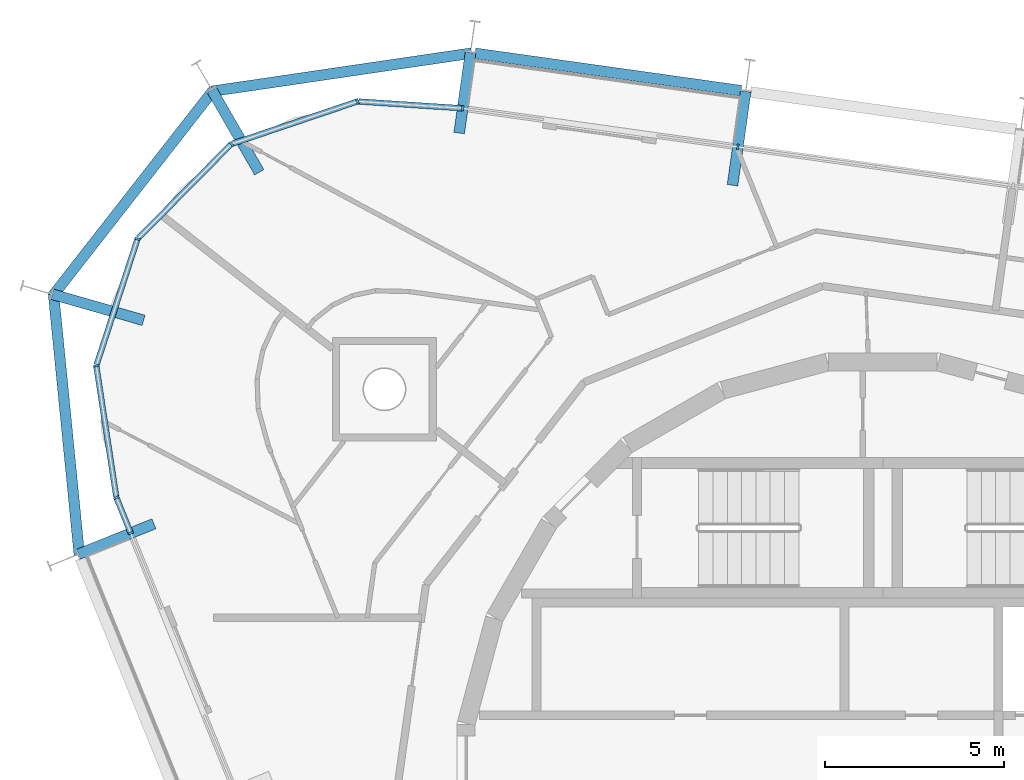
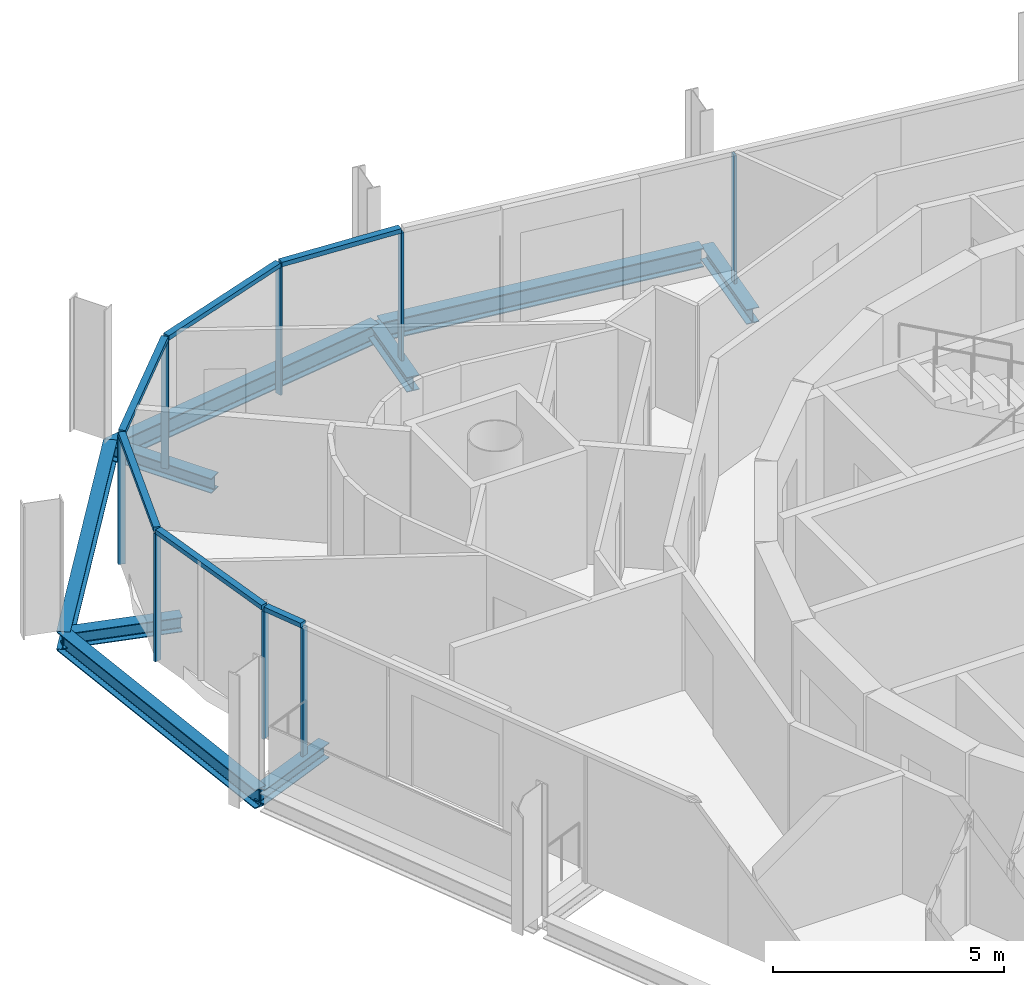
# One storey, part 5 of 15: 14 members, 9 beams, 3 elements without a shape of their own.
"""IFC4 building model written with IfcOpenShell, lengths in metres."""

import ifcopenshell
import ifcopenshell.guid

model = None  # the IFC model being written
_history = None  # IfcOwnerHistory: only IFC2X3 demands one
_inside = {}  # id of a spatial element -> (the spatial element, [elements in it])
_under = {}  # id of a project, library or spatial element -> (it, [spatial elements below it])
_declared = {}  # id of a project -> (the project, [libraries it declares])
_typed = {}  # id of a type object -> (the type object, [elements of that type])
_made_of = {}  # id of a material, layer set ... -> (it, [elements and type objects made of it])


def new_model(schema):
    """Start an empty IFC model of exactly this schema.

    Asked for "IFC4X3", IfcOpenShell would pick the latest addendum, in which some entities
    have other attributes; the version numbers below select the first issue.
    IFC2X3 requires an IfcOwnerHistory on every rooted entity: one is made here for all.
    """
    global model, _history
    if schema == "IFC4X3":
        model = ifcopenshell.file(schema_version=(4, 3, 0, 0))
    else:
        model = ifcopenshell.file(schema=schema)
    _inside.clear()
    _under.clear()
    _declared.clear()
    _typed.clear()
    _made_of.clear()
    _history = None
    if model.schema == "IFC2X3":
        org = make("IfcOrganization", Name="unknown")
        user = make(
            "IfcPersonAndOrganization",
            ThePerson=make("IfcPerson", FamilyName="unknown"),
            TheOrganization=org,
        )
        app = make(
            "IfcApplication",
            ApplicationDeveloper=org,
            Version="unknown",
            ApplicationFullName="unknown",
            ApplicationIdentifier="unknown",
        )
        _history = make(
            "IfcOwnerHistory",
            OwningUser=user,
            OwningApplication=app,
            ChangeAction="ADDED",
            CreationDate=0,
        )
    return model


def make(cls, **values):
    """One entity of the class cls with the attributes given. An attribute that is None is left unset."""
    return model.create_entity(
        cls, **{name: value for name, value in values.items() if value is not None}
    )


def rooted(cls, **values):
    """An entity with a GlobalId (a new one), such as an element, a storey or a relation."""
    return make(cls, GlobalId=ifcopenshell.guid.new(), OwnerHistory=_history, **values)


def si_unit(unit_type, name, prefix=None):
    """IfcSIUnit, for example si_unit("LENGTHUNIT", "METRE", prefix="MILLI")."""
    return make("IfcSIUnit", UnitType=unit_type, Prefix=prefix, Name=name)


def assignment(units):
    """IfcUnitAssignment: the units of a project."""
    return None if units is None else make("IfcUnitAssignment", Units=units)


def point(xyz):
    """IfcCartesianPoint."""
    return None if xyz is None else make("IfcCartesianPoint", Coordinates=xyz)


def direction(xyz):
    """IfcDirection."""
    return None if xyz is None else make("IfcDirection", DirectionRatios=xyz)


def frame(location, z_axis=None, x_axis=None):
    """IfcAxis2Placement3D, a coordinate frame: its origin and axes. An axis left out is left unset."""
    return make(
        "IfcAxis2Placement3D",
        Location=point(location),
        Axis=direction(z_axis),
        RefDirection=direction(x_axis),
    )


def frame_2d(location, x_axis=None):
    """IfcAxis2Placement2D, a coordinate frame in the plane: its origin and x axis."""
    return make(
        "IfcAxis2Placement2D", Location=point(location), RefDirection=direction(x_axis)
    )


def origin():
    """The frame at (0, 0, 0) with its axes left unset."""
    return frame((0.0, 0.0, 0.0))


def origin_2d():
    """The frame at (0, 0) in the plane with its x axis left unset."""
    return frame_2d((0.0, 0.0))


def place(relative_to, where):
    """IfcLocalPlacement: puts the frame where relative to a parent placement (None: the world)."""
    return make(
        "IfcLocalPlacement", PlacementRelTo=relative_to, RelativePlacement=where
    )


def context(
    kind, dimensions, precision=None, world=None, true_north=None, identifier=None
):
    """IfcGeometricRepresentationContext, for example the 3D "Model" context."""
    return make(
        "IfcGeometricRepresentationContext",
        ContextIdentifier=identifier,
        ContextType=kind,
        CoordinateSpaceDimension=dimensions,
        Precision=precision,
        WorldCoordinateSystem=world,
        TrueNorth=true_north,
    )


def subcontext(parent, identifier, kind, view, scale=None):
    """IfcGeometricRepresentationSubContext, for example "Body" below "Model"."""
    return make(
        "IfcGeometricRepresentationSubContext",
        ContextIdentifier=identifier,
        ContextType=kind,
        ParentContext=parent,
        TargetScale=scale,
        TargetView=view,
    )


def project(units=None, contexts=None):
    """IfcProject with its units and contexts."""
    return rooted(
        "IfcProject",
        Name="project",
        RepresentationContexts=contexts,
        UnitsInContext=assignment(units),
    )


def spatial(cls, under=None, at=None, **own):
    """A site, building, storey or space (cls), placed at a placement, below another one or the project."""
    s = rooted(cls, ObjectPlacement=at, **own)
    if under is not None:
        _under.setdefault(under.id(), (under, []))[1].append(s)
    return s


def profile(cls, at=None, kind="AREA", **sizes):
    """A parametric profile (cls). Its sizes go by their IFC names, for example OverallWidth=200.0."""
    return make(cls, ProfileType=kind, Position=at, **sizes)


def rectangle(**sizes):
    """IfcRectangleProfileDef."""
    return profile("IfcRectangleProfileDef", **sizes)


def i_section(**sizes):
    """IfcIShapeProfileDef."""
    return profile("IfcIShapeProfileDef", **sizes)


def extrude(swept, where, along, depth):
    """IfcExtrudedAreaSolid: the profile swept, set in the frame where, extruded along a direction by depth."""
    return make(
        "IfcExtrudedAreaSolid",
        SweptArea=swept,
        Position=where,
        ExtrudedDirection=direction(along),
        Depth=depth,
    )


def shape(context_of_items, identifier, shape_type, items):
    """IfcShapeRepresentation: the items that make up one representation, for example the "Body"."""
    return make(
        "IfcShapeRepresentation",
        ContextOfItems=context_of_items,
        RepresentationIdentifier=identifier,
        RepresentationType=shape_type,
        Items=items,
    )


def material(Name=None, Category=None):
    """IfcMaterial."""
    return make("IfcMaterial", Name=Name, Category=Category)


def layer(
    of_material, thickness, ventilated=None, Name=None, Category=None, Priority=None
):
    """IfcMaterialLayer: one layer of a wall or slab, of a material (None: an air gap)."""
    return make(
        "IfcMaterialLayer",
        Material=of_material,
        LayerThickness=thickness,
        IsVentilated=ventilated,
        Name=Name,
        Category=Category,
        Priority=Priority,
    )


def layer_set(layers, Name=None):
    """IfcMaterialLayerSet."""
    return make("IfcMaterialLayerSet", MaterialLayers=layers, LayerSetName=Name)


def material_profile(
    of_material, cross_section, Name=None, Category=None, Priority=None
):
    """IfcMaterialProfile: a cross section and its material."""
    return make(
        "IfcMaterialProfile",
        Name=Name,
        Material=of_material,
        Profile=cross_section,
        Priority=Priority,
        Category=Category,
    )


def profile_set(profiles, Name=None, composite=None):
    """IfcMaterialProfileSet."""
    return make(
        "IfcMaterialProfileSet",
        Name=Name,
        MaterialProfiles=profiles,
        CompositeProfile=composite,
    )


def made_of(thing, what):
    """Note that an element or type object is made of a material, layer set ...; save() writes the relation."""
    if what is not None:
        _made_of.setdefault(what.id(), (what, []))[1].append(thing)
    return thing


def type_object(cls, material=None, **own):
    """A type object (cls), such as IfcWallType, which elements share."""
    return made_of(rooted(cls, **own), material)


def element(
    cls,
    number,
    at=None,
    inside=None,
    cuts=None,
    type_object=None,
    material=None,
    context=None,
    identifier="Body",
    shape_type=None,
    held_by="IfcProductDefinitionShape",
    body=None,
    shapes=None,
    **own,
):
    """One element of the class cls, such as IfcWall. Its Tag is "e" and its number.

    at: its placement. inside: the storey or other place that contains it. cuts: it is an
    opening in that element (IfcRelVoidsElement). A single representation is given by context,
    identifier, shape_type and body (its items); several are given by shapes. held_by: the class
    of the entity that holds the representations. save() writes the other relations.
    """
    e = rooted(cls, Tag="e%d" % number, ObjectPlacement=at, **own)
    if body is not None:
        shapes = [shape(context, identifier, shape_type, body)]
    if shapes is not None:
        e.Representation = make(held_by, Representations=shapes)
    if inside is not None:
        _inside.setdefault(inside.id(), (inside, []))[1].append(e)
    if cuts is not None:
        rooted(
            "IfcRelVoidsElement", RelatingBuildingElement=cuts, RelatedOpeningElement=e
        )
    if type_object is not None:
        _typed.setdefault(type_object.id(), (type_object, []))[1].append(e)
    return made_of(e, material)


def aggregate(whole, parts):
    """IfcRelAggregates: a whole, such as a stair, and the parts it consists of."""
    return rooted("IfcRelAggregates", RelatingObject=whole, RelatedObjects=parts)


def save(model, path):
    """Write the relations noted so far, then the file.

    IfcRelAggregates (storeys below a building ...), IfcRelContainedInSpatialStructure (elements
    in a storey), IfcRelDefinesByType, IfcRelAssociatesMaterial and IfcRelDeclares: one each for
    every whole, place, type object, material and project.
    """
    for whole, parts in _under.values():
        aggregate(whole, parts)
    for where, things in _inside.values():
        rooted(
            "IfcRelContainedInSpatialStructure",
            RelatedElements=things,
            RelatingStructure=where,
        )
    for kind, things in _typed.values():
        rooted("IfcRelDefinesByType", RelatedObjects=things, RelatingType=kind)
    for what, things in _made_of.values():
        rooted("IfcRelAssociatesMaterial", RelatedObjects=things, RelatingMaterial=what)
    for by, libraries in _declared.values():
        rooted("IfcRelDeclares", RelatingContext=by, RelatedDefinitions=libraries)
    model.write(path)


model = new_model("IFC4")

# Units and contexts
model_context = context("Model", 3, precision=1e-05, world=origin(), true_north=direction((0.0, 1.0)))
body_context = subcontext(model_context, "Body", "Model", "MODEL_VIEW")
ifc_project = project(units=[si_unit("LENGTHUNIT", "METRE"), si_unit("AREAUNIT", "SQUARE_METRE"), si_unit("VOLUMEUNIT", "CUBIC_METRE"), si_unit("PLANEANGLEUNIT", "RADIAN"), si_unit("MASSUNIT", "GRAM", prefix="KILO")], contexts=[model_context])

# Site, building, storey
site_placement = place(None, origin())
site = spatial("IfcSite", under=ifc_project, at=site_placement, CompositionType="ELEMENT")
building_placement = place(site_placement, origin())
building = spatial("IfcBuilding", under=site, at=building_placement, Name="Spindle Arch Residences", CompositionType="ELEMENT")
storey_placement = place(building_placement, frame((0.0, 0.0, 350.5)))
storey = spatial("IfcBuildingStorey", under=building, at=storey_placement, Name="L90", CompositionType="ELEMENT", Elevation=350.5)

# Curtain wall, member
ifc_material_1 = material(Name="Aluminium bronze unitised frame with tinted glass", Category="aluminium")
ifc_layer_1 = layer(ifc_material_1, 0.159912109375)
ifc_layer_set_1 = layer_set([ifc_layer_1], Name="CW-C typical residential unitised wall")
curtain_wall_type_1 = type_object("IfcCurtainWallType", Name="CW-C typical residential unitised wall", PredefinedType="NOTDEFINED", material=ifc_layer_set_1)
curtain_wall_1_placement = place(storey_placement, origin())
curtain_wall_1 = element("IfcCurtainWall", 1, at=curtain_wall_1_placement, inside=storey, type_object=curtain_wall_type_1, Name="CW-C L90 run 2", PredefinedType="NOTDEFINED")
ifc_material_2 = material(Name="Aluminium bronze anodised mullion", Category="aluminium")
ifc_material_profile_1 = material_profile(ifc_material_2, rectangle(XDim=0.159912109375, YDim=0.06005859375, at=origin_2d()), Name="MU 60x160")
ifc_profile_set_1 = profile_set([ifc_material_profile_1], Name="Aluminium bronze anodised mullion")
member_type_1 = type_object("IfcMemberType", Name="Bronze mullion 60x160", PredefinedType="MULLION", material=ifc_profile_set_1)
member_1_placement = place(storey_placement, frame((-4.0537109375, 17.654296875, -0.3798828125), z_axis=(0.0, 0.0, 1.0), x_axis=(-0.13917310096, -0.990268068742, 0.0)))
member_1 = element("IfcMember", 2, at=member_1_placement, type_object=member_type_1, Name="CW-C mullion 07", PredefinedType="MULLION", context=body_context, shape_type="SweptSolid", body=[
    extrude(rectangle(XDim=0.159912109375, YDim=0.06005859375, at=origin_2d()), origin(), (0.0, 0.0, 1.0), 3.3798828125),
])
aggregate(curtain_wall_1, [member_1])

# Curtain wall, members
ifc_material_3 = material(Name="Aluminium bronze unitised frame with tinted glass", Category="aluminium")
ifc_layer_2 = layer(ifc_material_3, 0.159912109375)
ifc_layer_set_2 = layer_set([ifc_layer_2], Name="CW-D corner wall on the fillet arcs")
curtain_wall_type_2 = type_object("IfcCurtainWallType", Name="CW-D corner wall on the fillet arcs", PredefinedType="NOTDEFINED", material=ifc_layer_set_2)
curtain_wall_2_placement = place(storey_placement, origin())
curtain_wall_2 = element("IfcCurtainWall", 3, at=curtain_wall_2_placement, inside=storey, type_object=curtain_wall_type_2, Name="CW-D L90 run 3", PredefinedType="NOTDEFINED")
member_2_placement = place(storey_placement, frame((-11.74365234375, 18.735107421875, -0.3798828125), z_axis=(0.0, 0.0, 1.0), x_axis=(-0.065509719587, -0.99785193122, 0.0)))
member_2 = element("IfcMember", 4, at=member_2_placement, type_object=member_type_1, Name="CW-D mullion 00", PredefinedType="MULLION", context=body_context, shape_type="SweptSolid", body=[
    extrude(rectangle(XDim=0.159912109375, YDim=0.06005859375, at=origin_2d()), origin(), (0.0, 0.0, 1.0), 3.3798828125),
])
member_3_placement = place(storey_placement, frame((-14.6806640625, 18.927978515625, -0.3798828125), z_axis=(0.0, 0.0, 1.0), x_axis=(0.320061877599, -0.947396640541, 0.0)))
member_3 = element("IfcMember", 5, at=member_3_placement, type_object=member_type_1, Name="CW-D mullion 01", PredefinedType="MULLION", context=body_context, shape_type="SweptSolid", body=[
    extrude(rectangle(XDim=0.159912109375, YDim=0.06005859375, at=origin_2d()), origin(), (0.0, 0.0, 1.0), 3.3798828125),
])
member_4_placement = place(storey_placement, frame((-18.211181640625, 17.735107421875, -0.3798828125), z_axis=(0.0, 0.0, 1.0), x_axis=(0.711208574043, -0.702981055369, 0.0)))
member_4 = element("IfcMember", 6, at=member_4_placement, type_object=member_type_1, Name="CW-D mullion 02", PredefinedType="MULLION", context=body_context, shape_type="SweptSolid", body=[
    extrude(rectangle(XDim=0.159912109375, YDim=0.06005859375, at=origin_2d()), origin(), (0.0, 0.0, 1.0), 3.3798828125),
])
member_5_placement = place(storey_placement, frame((-20.8310546875, 15.084716796875, -0.3798828125), z_axis=(0.0, 0.0, 1.0), x_axis=(0.951056517498, -0.309016990673, 0.0)))
member_5 = element("IfcMember", 7, at=member_5_placement, type_object=member_type_1, Name="CW-D mullion 03", PredefinedType="MULLION", context=body_context, shape_type="SweptSolid", body=[
    extrude(rectangle(XDim=0.159912109375, YDim=0.06005859375, at=origin_2d()), origin(), (0.0, 0.0, 1.0), 3.3798828125),
])
member_6_placement = place(storey_placement, frame((-21.982666015625, 11.540283203125, -0.3798828125), z_axis=(0.0, 0.0, 1.0), x_axis=(0.988581718471, 0.150685718984, 0.0)))
member_6 = element("IfcMember", 8, at=member_6_placement, type_object=member_type_1, Name="CW-D mullion 04", PredefinedType="MULLION", context=body_context, shape_type="SweptSolid", body=[
    extrude(rectangle(XDim=0.159912109375, YDim=0.06005859375, at=origin_2d()), origin(), (0.0, 0.0, 1.0), 3.3798828125),
])
member_7_placement = place(storey_placement, frame((-21.421142578125, 7.856201171875, -0.3798828125), z_axis=(0.0, 0.0, 1.0), x_axis=(0.927183854567, 0.374606593416, 0.0)))
member_7 = element("IfcMember", 9, at=member_7_placement, type_object=member_type_1, Name="CW-D mullion 05", PredefinedType="MULLION", context=body_context, shape_type="SweptSolid", body=[
    extrude(rectangle(XDim=0.159912109375, YDim=0.06005859375, at=origin_2d()), origin(), (0.0, 0.0, 1.0), 3.3798828125),
])

# Curtain wall, member
curtain_wall_3_placement = place(storey_placement, origin())
curtain_wall_3 = element("IfcCurtainWall", 10, at=curtain_wall_3_placement, inside=storey, type_object=curtain_wall_type_1, Name="CW-C L90 run 4", PredefinedType="NOTDEFINED")
member_8_placement = place(storey_placement, frame((-21.019775390625, 6.862548828125, -0.3798828125), z_axis=(0.0, 0.0, 1.0), x_axis=(0.927183854567, 0.374606593416, 0.0)))
member_8 = element("IfcMember", 11, at=member_8_placement, type_object=member_type_1, Name="CW-C mullion 11", PredefinedType="MULLION", context=body_context, shape_type="SweptSolid", body=[
    extrude(rectangle(XDim=0.159912109375, YDim=0.06005859375, at=origin_2d()), origin(), (0.0, 0.0, 1.0), 3.3798828125),
])
aggregate(curtain_wall_3, [member_8])

# Member
ifc_material_4 = material(Name="Aluminium bronze anodised transom", Category="aluminium")
ifc_material_profile_2 = material_profile(ifc_material_4, rectangle(XDim=0.159912109375, YDim=0.1201171875, at=origin_2d()), Name="TR 120x160")
ifc_profile_set_2 = profile_set([ifc_material_profile_2], Name="Aluminium bronze anodised transom")
member_type_2 = type_object("IfcMemberType", Name="Bronze transom 120x160", PredefinedType="USERDEFINED", material=ifc_profile_set_2)
member_9_placement = place(storey_placement, frame((-11.773681640625, 18.737060546875, 3.06005859375), z_axis=(-0.997849873477, 0.065541055844, 0.0), x_axis=(-0.065541055844, -0.997849873477, 0.0)))
member_9 = element("IfcMember", 12, at=member_9_placement, type_object=member_type_2, Name="CW-D transom 00", ObjectType="TRANSOM", PredefinedType="USERDEFINED", context=body_context, shape_type="SweptSolid", body=[
    extrude(rectangle(XDim=0.159912109375, YDim=0.1201171875, at=origin_2d()), origin(), (0.0, 0.0, 1.0), 2.883056640625),
])

member_10_placement = place(storey_placement, frame((-14.708984375, 18.91845703125, 3.06005859375), z_axis=(-0.94739716915, -0.320060312889, 0.0), x_axis=(0.320060312889, -0.94739716915, 0.0)))
member_10 = element("IfcMember", 13, at=member_10_placement, type_object=member_type_2, Name="CW-D transom 01", ObjectType="TRANSOM", PredefinedType="USERDEFINED", context=body_context, shape_type="SweptSolid", body=[
    extrude(rectangle(XDim=0.159912109375, YDim=0.1201171875, at=origin_2d()), origin(), (0.0, 0.0, 1.0), 3.666748046875),
])

member_11_placement = place(storey_placement, frame((-18.232421875, 17.7138671875, 3.06005859375), z_axis=(-0.702966683093, -0.711222779769, 0.0), x_axis=(0.711222779769, -0.702966683093, 0.0)))
member_11 = element("IfcMember", 14, at=member_11_placement, type_object=member_type_2, Name="CW-D transom 02", ObjectType="TRANSOM", PredefinedType="USERDEFINED", context=body_context, shape_type="SweptSolid", body=[
    extrude(rectangle(XDim=0.159912109375, YDim=0.1201171875, at=origin_2d()), origin(), (0.0, 0.0, 1.0), 3.666748046875),
])

member_12_placement = place(storey_placement, frame((-20.84033203125, 15.05615234375, 3.06005859375), z_axis=(-0.309007783623, -0.951059509001, 0.0), x_axis=(0.951059509001, -0.309007783623, 0.0)))
member_12 = element("IfcMember", 15, at=member_12_placement, type_object=member_type_2, Name="CW-D transom 03", ObjectType="TRANSOM", PredefinedType="USERDEFINED", context=body_context, shape_type="SweptSolid", body=[
    extrude(rectangle(XDim=0.159912109375, YDim=0.1201171875, at=origin_2d()), origin(), (0.0, 0.0, 1.0), 3.666748046875),
])

member_13_placement = place(storey_placement, frame((-21.978271484375, 11.5107421875, 3.06005859375), z_axis=(0.150671164407, -0.988583936859, 0.0), x_axis=(0.988583936859, 0.150671164407, 0.0)))
member_13 = element("IfcMember", 16, at=member_13_placement, type_object=member_type_2, Name="CW-D transom 04", ObjectType="TRANSOM", PredefinedType="USERDEFINED", context=body_context, shape_type="SweptSolid", body=[
    extrude(rectangle(XDim=0.159912109375, YDim=0.1201171875, at=origin_2d()), origin(), (0.0, 0.0, 1.0), 3.666748046875),
])

member_14_placement = place(storey_placement, frame((-21.409912109375, 7.828369140625, 3.06005859375), z_axis=(0.374550833754, -0.927206380982, 0.0), x_axis=(0.927206380982, 0.374550833754, 0.0)))
member_14 = element("IfcMember", 17, at=member_14_placement, type_object=member_type_2, Name="CW-D transom 05", ObjectType="TRANSOM", PredefinedType="USERDEFINED", context=body_context, shape_type="SweptSolid", body=[
    extrude(rectangle(XDim=0.159912109375, YDim=0.1201171875, at=origin_2d()), origin(), (0.0, 0.0, 1.0), 1.01171875),
])

aggregate(curtain_wall_2, [member_2, member_9, member_3, member_10, member_4, member_11, member_5, member_12, member_6, member_13, member_7, member_14])

# Beams
ifc_material_5 = material(Name="Steel S460ML, intumescent coating R 120", Category="steel")
ifc_material_profile_3 = material_profile(ifc_material_5, i_section(OverallWidth=0.300048828125, OverallDepth=0.5, WebThickness=0.014404296875, FlangeThickness=0.028076171875, FilletRadius=0.027099609375, at=origin_2d()), Name="HEB 500")
ifc_profile_set_3 = profile_set([ifc_material_profile_3], Name="Steel S460ML, intumescent coating R 120")
beam_type_1 = type_object("IfcBeamType", Name="Exoskeleton edge beam HEB 500", PredefinedType="BEAM", material=ifc_profile_set_3)
beam_1_placement = place(storey_placement, frame((-3.964111328125, 19.227294921875, -0.6298828125), z_axis=(-0.990270241249, 0.13915764189, 0.0), x_axis=(-0.13915764189, -0.990270241249, 0.0)))
element("IfcBeam", 18, at=beam_1_placement, inside=storey, type_object=beam_type_1, Name="Exoskeleton edge beam 8", PredefinedType="BEAM", context=body_context, shape_type="SweptSolid", body=[
    extrude(i_section(OverallWidth=0.300048828125, OverallDepth=0.5, WebThickness=0.014404296875, FlangeThickness=0.028076171875, FilletRadius=0.027099609375, at=origin_2d()), origin(), (0.0, 0.0, 1.0), 7.50537109375),
])
beam_2_placement = place(storey_placement, frame((-11.505615234375, 20.27490234375, -0.6298828125), z_axis=(-0.989384491355, -0.145321465266, 0.0), x_axis=(0.145321465266, -0.989384491355, 0.0)))
element("IfcBeam", 19, at=beam_2_placement, inside=storey, type_object=beam_type_1, Name="Exoskeleton edge beam 9", PredefinedType="BEAM", context=body_context, shape_type="SweptSolid", body=[
    extrude(i_section(OverallWidth=0.300048828125, OverallDepth=0.5, WebThickness=0.014404296875, FlangeThickness=0.028076171875, FilletRadius=0.027099609375, at=origin_2d()), origin(), (0.0, 0.0, 1.0), 7.333251953125),
])
beam_3_placement = place(storey_placement, frame((-18.700927734375, 19.252685546875, -0.6298828125), z_axis=(-0.615671888322, -0.788002617971, 0.0), x_axis=(0.788002617971, -0.615671888322, 0.0)))
element("IfcBeam", 20, at=beam_3_placement, inside=storey, type_object=beam_type_1, Name="Exoskeleton edge beam 10", PredefinedType="BEAM", context=body_context, shape_type="SweptSolid", body=[
    extrude(i_section(OverallWidth=0.300048828125, OverallDepth=0.5, WebThickness=0.014404296875, FlangeThickness=0.028076171875, FilletRadius=0.027099609375, at=origin_2d()), origin(), (0.0, 0.0, 1.0), 7.31591796875),
])
beam_4_placement = place(storey_placement, frame((-23.177490234375, 13.556640625, -0.6298828125), z_axis=(0.098376359096, -0.995149281249, 0.0), x_axis=(0.995149281249, 0.098376359096, 0.0)))
element("IfcBeam", 21, at=beam_4_placement, inside=storey, type_object=beam_type_1, Name="Exoskeleton edge beam 11", PredefinedType="BEAM", context=body_context, shape_type="SweptSolid", body=[
    extrude(i_section(OverallWidth=0.300048828125, OverallDepth=0.5, WebThickness=0.014404296875, FlangeThickness=0.028076171875, FilletRadius=0.027099609375, at=origin_2d()), origin(), (0.0, 0.0, 1.0), 7.33349609375),
])
ifc_material_6 = material(Name="Steel S460ML, intumescent coating R 120", Category="steel")
ifc_material_profile_4 = material_profile(ifc_material_6, i_section(OverallWidth=0.300048828125, OverallDepth=0.389892578125, WebThickness=0.010986328125, FlangeThickness=0.01904296875, FilletRadius=0.027099609375, at=origin_2d()), Name="HEA 400")
ifc_profile_set_4 = profile_set([ifc_material_profile_4], Name="Steel S460ML, intumescent coating R 120")
beam_type_2 = type_object("IfcBeamType", Name="Floor outrigger HEA 400", PredefinedType="BEAM", material=ifc_profile_set_4)
beam_5_placement = place(storey_placement, frame((-3.835205078125, 19.208984375, -0.574951171875), z_axis=(-0.139215304089, -0.990262136562, 0.0), x_axis=(0.990262136562, -0.139215304089, 0.0)))
element("IfcBeam", 22, at=beam_5_placement, inside=storey, type_object=beam_type_2, Name="Floor outrigger 8", PredefinedType="BEAM", context=body_context, shape_type="SweptSolid", body=[
    extrude(i_section(OverallWidth=0.300048828125, OverallDepth=0.389892578125, WebThickness=0.010986328125, FlangeThickness=0.01904296875, FilletRadius=0.027099609375, at=origin_2d()), origin(), (0.0, 0.0, 1.0), 2.64990234375),
])
beam_6_placement = place(storey_placement, frame((-11.525146484375, 20.289794921875, -0.574951171875), z_axis=(-0.139236695956, -0.990259128965, 0.0), x_axis=(0.990259128965, -0.139236695956, 0.0)))
element("IfcBeam", 23, at=beam_6_placement, inside=storey, type_object=beam_type_2, Name="Floor outrigger 9", PredefinedType="BEAM", context=body_context, shape_type="SweptSolid", body=[
    extrude(i_section(OverallWidth=0.300048828125, OverallDepth=0.389892578125, WebThickness=0.010986328125, FlangeThickness=0.01904296875, FilletRadius=0.027099609375, at=origin_2d()), origin(), (0.0, 0.0, 1.0), 2.26904296875),
])
beam_7_placement = place(storey_placement, frame((-18.750732421875, 19.2421875, -0.574951171875), z_axis=(0.49963737375, -0.866234664945, 0.0), x_axis=(0.866234664945, 0.49963737375, 0.0)))
element("IfcBeam", 24, at=beam_7_placement, inside=storey, type_object=beam_type_2, Name="Floor outrigger 10", PredefinedType="BEAM", context=body_context, shape_type="SweptSolid", body=[
    extrude(i_section(OverallWidth=0.300048828125, OverallDepth=0.389892578125, WebThickness=0.010986328125, FlangeThickness=0.01904296875, FilletRadius=0.027099609375, at=origin_2d()), origin(), (0.0, 0.0, 1.0), 2.64990234375),
])
beam_8_placement = place(storey_placement, frame((-23.20703125, 13.53857421875, -0.574951171875), z_axis=(0.961395217741, -0.275171283575, 0.0), x_axis=(0.275171283575, 0.961395217741, 0.0)))
element("IfcBeam", 25, at=beam_8_placement, inside=storey, type_object=beam_type_2, Name="Floor outrigger 11", PredefinedType="BEAM", context=body_context, shape_type="SweptSolid", body=[
    extrude(i_section(OverallWidth=0.300048828125, OverallDepth=0.389892578125, WebThickness=0.010986328125, FlangeThickness=0.01904296875, FilletRadius=0.027099609375, at=origin_2d()), origin(), (0.0, 0.0, 1.0), 2.650146484375),
])
beam_9_placement = place(storey_placement, frame((-22.475341796875, 6.2744140625, -0.574951171875), z_axis=(0.927202315329, 0.374560898185, 0.0), x_axis=(-0.374560898185, 0.927202315329, 0.0)))
element("IfcBeam", 26, at=beam_9_placement, inside=storey, type_object=beam_type_2, Name="Floor outrigger 12", PredefinedType="BEAM", context=body_context, shape_type="SweptSolid", body=[
    extrude(i_section(OverallWidth=0.300048828125, OverallDepth=0.389892578125, WebThickness=0.010986328125, FlangeThickness=0.01904296875, FilletRadius=0.027099609375, at=origin_2d()), origin(), (0.0, 0.0, 1.0), 2.26904296875),
])

save(model, "model.ifc")
